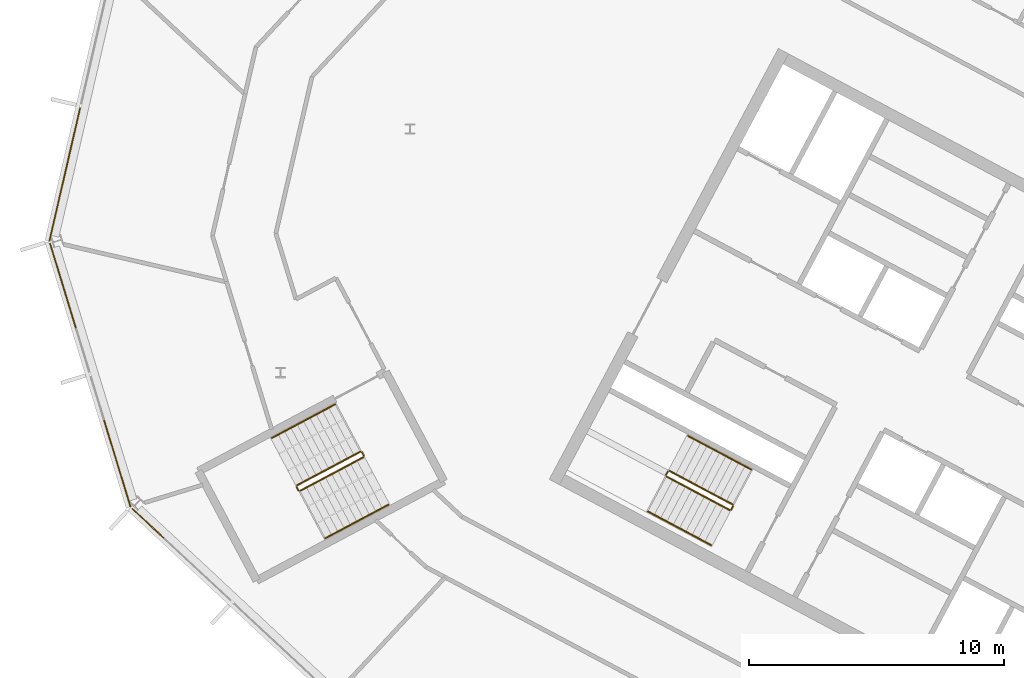
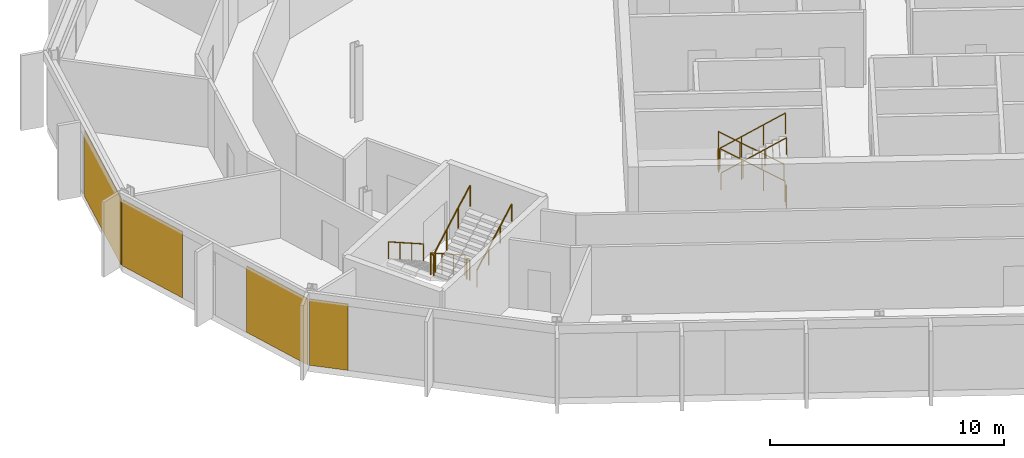
# One storey, part 21 of 26: 12 railings, 4 coverings, 3 elements without a shape of their own.
"""IFC4 building model written with IfcOpenShell, lengths in metres."""

from ifc_helpers import new_model, si_unit, direction, frame, origin, origin_2d, place, context, subcontext, project, spatial, polyline, rectangle, outline, extrude, material, layer, layer_set, type_object, element, aggregate, save


model = new_model("IFC4")

# Units and contexts
model_context = context("Model", 3, precision=1e-05, world=origin(), true_north=direction((0.0, 1.0)))
body_context = subcontext(model_context, "Body", "Model", "MODEL_VIEW")
ifc_project = project(units=[si_unit("LENGTHUNIT", "METRE"), si_unit("AREAUNIT", "SQUARE_METRE"), si_unit("VOLUMEUNIT", "CUBIC_METRE"), si_unit("PLANEANGLEUNIT", "RADIAN"), si_unit("MASSUNIT", "GRAM", prefix="KILO")], contexts=[model_context])

# Site, building, storey
site_placement = place(None, origin())
site = spatial("IfcSite", under=ifc_project, at=site_placement, CompositionType="ELEMENT")
building_placement = place(site_placement, origin())
building = spatial("IfcBuilding", under=site, at=building_placement, Name="Cormorant Relay Tower", CompositionType="ELEMENT")
storey_placement = place(building_placement, frame((0.0, 0.0, 285.300048828125)))
storey = spatial("IfcBuildingStorey", under=building, at=storey_placement, Name="L64", CompositionType="ELEMENT", Elevation=285.300048828125)

# Curtain wall, covering
ifc_material_1 = material(Name="Aluminium 6063-T6 anodised bronze", Category="aluminium")
ifc_layer_1 = layer(ifc_material_1, 0.199951171875)
ifc_layer_set_1 = layer_set([ifc_layer_1], Name="CW1 unitised bronze curtain wall with vertical fins")
curtain_wall_type = type_object("IfcCurtainWallType", Name="CW1 unitised bronze curtain wall with vertical fins", PredefinedType="NOTDEFINED", material=ifc_layer_set_1)
curtain_wall_1_placement = place(storey_placement, origin())
curtain_wall_1 = element("IfcCurtainWall", 1, at=curtain_wall_1_placement, inside=storey, type_object=curtain_wall_type, Name="CW1 curtain wall 13", PredefinedType="NOTDEFINED")
ifc_material_2 = material(Name="Pale bronze anodised aluminium insulated panel", Category="aluminium")
ifc_layer_2 = layer(ifc_material_2, 0.0400390625)
ifc_layer_set_2 = layer_set([ifc_layer_2], Name="CW1 pale bronze insulated panel 40")
covering_type = type_object("IfcCoveringType", Name="CW1 pale bronze insulated panel 40", PredefinedType="CLADDING", material=ifc_layer_set_2)
covering_1_placement = place(storey_placement, frame((-60.136474609375, 23.00927734375, 0.0), z_axis=(0.0, 0.0, 1.0), x_axis=(-0.224951054344, -0.974370064785, 0.0)))
covering_1 = element("IfcCovering", 2, at=covering_1_placement, type_object=covering_type, Name="CW1 panel S01", PredefinedType="CLADDING", context=body_context, shape_type="SweptSolid", body=[
    extrude(rectangle(XDim=5.360107421875, YDim=0.0400390625, at=origin_2d()), origin(), (0.0, 0.0, 1.0), 3.449951171875),
])
aggregate(curtain_wall_1, [covering_1])

# Curtain wall, coverings
curtain_wall_2_placement = place(storey_placement, origin())
curtain_wall_2 = element("IfcCurtainWall", 3, at=curtain_wall_2_placement, inside=storey, type_object=curtain_wall_type, Name="CW1 curtain wall 14", PredefinedType="NOTDEFINED")
covering_2_placement = place(storey_placement, frame((-60.20751953125, 18.6494140625, 0.0), z_axis=(0.0, 0.0, 1.0), x_axis=(0.292371704723, -0.956304755963, 0.0)))
covering_2 = element("IfcCovering", 4, at=covering_2_placement, type_object=covering_type, Name="CW1 panel S00", PredefinedType="CLADDING", context=body_context, shape_type="SweptSolid", body=[
    extrude(rectangle(XDim=3.485107421875, YDim=0.0400390625, at=origin_2d()), origin(), (0.0, 0.0, 1.0), 3.449951171875),
])
covering_3_placement = place(storey_placement, frame((-58.081298828125, 11.6943359375, 0.0), z_axis=(0.0, 0.0, 1.0), x_axis=(0.292371704723, -0.956304755963, 0.0)))
covering_3 = element("IfcCovering", 5, at=covering_3_placement, type_object=covering_type, Name="CW1 panel S03", PredefinedType="CLADDING", context=body_context, shape_type="SweptSolid", body=[
    extrude(rectangle(XDim=3.560302734375, YDim=0.0400390625, at=origin_2d()), origin(), (0.0, 0.0, 1.0), 3.449951171875),
])
aggregate(curtain_wall_2, [covering_2, covering_3])

# Curtain wall, covering
curtain_wall_3_placement = place(storey_placement, origin())
curtain_wall_3 = element("IfcCurtainWall", 6, at=curtain_wall_3_placement, inside=storey, type_object=curtain_wall_type, Name="CW1 curtain wall 15", PredefinedType="NOTDEFINED")
covering_4_placement = place(storey_placement, frame((-56.88427734375, 9.357421875, 0.0), z_axis=(0.0, 0.0, 1.0), x_axis=(0.731353701619, -0.681998360062, 0.0)))
covering_4 = element("IfcCovering", 7, at=covering_4_placement, type_object=covering_type, Name="CW1 panel S00", PredefinedType="CLADDING", context=body_context, shape_type="SweptSolid", body=[
    extrude(rectangle(XDim=1.685302734375, YDim=0.0400390625, at=origin_2d()), origin(), (0.0, 0.0, 1.0), 3.449951171875),
])
aggregate(curtain_wall_3, [covering_4])

# Railings
ifc_material_3 = material(Name="Steel ASTM A572 Grade 50 (Fy 345 MPa)", Category="steel")
railing_type_1 = type_object("IfcRailingType", Name="Stair guard 1100", PredefinedType="GUARDRAIL", material=ifc_material_3)
railing_1_placement = place(storey_placement, frame((-33.9921875, 10.08935546875, 0.17724609375)))
element("IfcRailing", 8, at=railing_1_placement, inside=storey, type_object=railing_type_1, Name="L64 A2 stair guard 1", PredefinedType="GUARDRAIL", context=body_context, shape_type="SweptSolid", body=[
    extrude(outline(polyline([(0.022216796875, 0.00927734375), (0.00927734375, 0.022216796875), (-0.00927734375, 0.022216796875), (-0.022216796875, 0.00927734375), (-0.022216796875, -0.00927734375), (-0.00927734375, -0.022216796875), (0.00927734375, -0.022216796875), (0.022216796875, -0.00927734375), (0.022216796875, 0.00927734375)])), frame((0.0, 0.0, 1.076171875), z_axis=(-0.746001213114, 0.396649272309, 0.534931345884), x_axis=(-0.469465464807, -0.882950835185, 0.0)), (0.0, 0.0, 1.0), 3.31396484375),
    extrude(outline(polyline([(0.019287109375, 0.008056640625), (0.008056640625, 0.019287109375), (-0.008056640625, 0.019287109375), (-0.019287109375, 0.008056640625), (-0.019287109375, -0.008056640625), (-0.008056640625, -0.019287109375), (0.008056640625, -0.019287109375), (0.019287109375, -0.008056640625), (0.019287109375, 0.008056640625)])), origin(), (0.0, 0.0, 1.0), 1.052001953125),
    extrude(outline(polyline([(0.019287109375, 0.008056640625), (0.008056640625, 0.019287109375), (-0.008056640625, 0.019287109375), (-0.019287109375, 0.008056640625), (-0.019287109375, -0.008056640625), (-0.008056640625, -0.019287109375), (0.008056640625, -0.019287109375), (0.019287109375, -0.008056640625), (0.019287109375, 0.008056640625)])), frame((-0.823974609375, 0.438232421875, 0.5908203125)), (0.0, 0.0, 1.0), 1.052001953125),
    extrude(outline(polyline([(0.019287109375, 0.008056640625), (0.008056640625, 0.019287109375), (-0.008056640625, 0.019287109375), (-0.019287109375, 0.008056640625), (-0.019287109375, -0.008056640625), (-0.008056640625, -0.019287109375), (0.008056640625, -0.019287109375), (0.019287109375, -0.008056640625), (0.019287109375, 0.008056640625)])), frame((-1.648193359375, 0.876220703125, 1.181884765625)), (0.0, 0.0, 1.0), 1.052001953125),
    extrude(outline(polyline([(0.019287109375, 0.008056640625), (0.008056640625, 0.019287109375), (-0.008056640625, 0.019287109375), (-0.019287109375, 0.008056640625), (-0.019287109375, -0.008056640625), (-0.008056640625, -0.019287109375), (0.008056640625, -0.019287109375), (0.019287109375, -0.008056640625), (0.019287109375, 0.008056640625)])), frame((-2.47216796875, 1.314453125, 1.772705078125)), (0.0, 0.0, 1.0), 1.052001953125),
])
railing_2_placement = place(storey_placement, frame((-36.531982421875, 11.38330078125, 1.949951171875)))
element("IfcRailing", 9, at=railing_2_placement, inside=storey, type_object=railing_type_1, Name="L64 A2 stair guard 2", PredefinedType="GUARDRAIL", context=body_context, shape_type="SweptSolid", body=[
    extrude(outline(polyline([(0.022216796875, 0.00927734375), (0.00927734375, 0.022216796875), (-0.00927734375, 0.022216796875), (-0.022216796875, 0.00927734375), (-0.022216796875, -0.00927734375), (-0.00927734375, -0.022216796875), (0.00927734375, -0.022216796875), (0.022216796875, -0.00927734375), (0.022216796875, 0.00927734375)])), frame((0.0, 0.0, 1.076171875), z_axis=(-0.469828648786, -0.882757634224, 0.0), x_axis=(0.882757634224, -0.469828648786, 0.0)), (0.0, 0.0, 1.0), 0.150146484375),
    extrude(outline(polyline([(0.019287109375, 0.008056640625), (0.008056640625, 0.019287109375), (-0.008056640625, 0.019287109375), (-0.019287109375, 0.008056640625), (-0.019287109375, -0.008056640625), (-0.008056640625, -0.019287109375), (0.008056640625, -0.019287109375), (0.019287109375, -0.008056640625), (0.019287109375, 0.008056640625)])), origin(), (0.0, 0.0, 1.0), 1.052001953125),
    extrude(outline(polyline([(0.019287109375, 0.008056640625), (0.008056640625, 0.019287109375), (-0.008056640625, 0.019287109375), (-0.019287109375, 0.008056640625), (-0.019287109375, -0.008056640625), (-0.008056640625, -0.019287109375), (0.008056640625, -0.019287109375), (0.019287109375, -0.008056640625), (0.019287109375, 0.008056640625)])), frame((-0.070556640625, -0.132568359375, 0.0)), (0.0, 0.0, 1.0), 1.052001953125),
])
railing_3_placement = place(storey_placement, frame((-36.581787109375, 11.18310546875, 2.127197265625)))
element("IfcRailing", 10, at=railing_3_placement, inside=storey, type_object=railing_type_1, Name="L64 A2 stair guard 3", PredefinedType="GUARDRAIL", context=body_context, shape_type="SweptSolid", body=[
    extrude(outline(polyline([(0.022216796875, 0.00927734375), (0.00927734375, 0.022216796875), (-0.00927734375, 0.022216796875), (-0.022216796875, 0.00927734375), (-0.022216796875, -0.00927734375), (-0.00927734375, -0.022216796875), (0.00927734375, -0.022216796875), (0.022216796875, -0.00927734375), (0.022216796875, 0.00927734375)])), frame((0.0, 0.0, 1.076171875), z_axis=(0.746001213114, -0.396649272309, 0.534931345884), x_axis=(0.469465464807, 0.882950835185, 0.0)), (0.0, 0.0, 1.0), 3.31396484375),
    extrude(outline(polyline([(0.019287109375, 0.008056640625), (0.008056640625, 0.019287109375), (-0.008056640625, 0.019287109375), (-0.019287109375, 0.008056640625), (-0.019287109375, -0.008056640625), (-0.008056640625, -0.019287109375), (0.008056640625, -0.019287109375), (0.019287109375, -0.008056640625), (0.019287109375, 0.008056640625)])), origin(), (0.0, 0.0, 1.0), 1.052001953125),
    extrude(outline(polyline([(0.019287109375, 0.008056640625), (0.008056640625, 0.019287109375), (-0.008056640625, 0.019287109375), (-0.019287109375, 0.008056640625), (-0.019287109375, -0.008056640625), (-0.008056640625, -0.019287109375), (0.008056640625, -0.019287109375), (0.019287109375, -0.008056640625), (0.019287109375, 0.008056640625)])), frame((0.823974609375, -0.438232421875, 0.5908203125)), (0.0, 0.0, 1.0), 1.052001953125),
    extrude(outline(polyline([(0.019287109375, 0.008056640625), (0.008056640625, 0.019287109375), (-0.008056640625, 0.019287109375), (-0.019287109375, 0.008056640625), (-0.019287109375, -0.008056640625), (-0.008056640625, -0.019287109375), (0.008056640625, -0.019287109375), (0.019287109375, -0.008056640625), (0.019287109375, 0.008056640625)])), frame((1.648193359375, -0.876220703125, 1.181884765625)), (0.0, 0.0, 1.0), 1.052001953125),
    extrude(outline(polyline([(0.019287109375, 0.008056640625), (0.008056640625, 0.019287109375), (-0.008056640625, 0.019287109375), (-0.019287109375, 0.008056640625), (-0.019287109375, -0.008056640625), (-0.008056640625, -0.019287109375), (0.008056640625, -0.019287109375), (0.019287109375, -0.008056640625), (0.019287109375, 0.008056640625)])), frame((2.47216796875, -1.314453125, 1.772705078125)), (0.0, 0.0, 1.0), 1.052001953125),
])
railing_4_placement = place(storey_placement, frame((-33.971435546875, 10.021728515625, 0.0)))
element("IfcRailing", 11, at=railing_4_placement, inside=storey, type_object=railing_type_1, Name="L64 A2 stair guard 4", PredefinedType="GUARDRAIL", context=body_context, shape_type="SweptSolid", body=[
    extrude(outline(polyline([(0.022216796875, 0.00927734375), (0.00927734375, 0.022216796875), (-0.00927734375, 0.022216796875), (-0.022216796875, 0.00927734375), (-0.022216796875, -0.00927734375), (-0.00927734375, -0.022216796875), (0.00927734375, -0.022216796875), (0.022216796875, -0.00927734375), (0.022216796875, 0.00927734375)])), frame((0.0, 0.0, 1.076171875), z_axis=(-0.470503732759, -0.882398003998, 0.0), x_axis=(0.882398003998, -0.470503732759, 0.0)), (0.0, 0.0, 1.0), 0.14990234375),
    extrude(outline(polyline([(0.019287109375, 0.008056640625), (0.008056640625, 0.019287109375), (-0.008056640625, 0.019287109375), (-0.019287109375, 0.008056640625), (-0.019287109375, -0.008056640625), (-0.008056640625, -0.019287109375), (0.008056640625, -0.019287109375), (0.019287109375, -0.008056640625), (0.019287109375, 0.008056640625)])), origin(), (0.0, 0.0, 1.0), 1.052001953125),
    extrude(outline(polyline([(0.019287109375, 0.008056640625), (0.008056640625, 0.019287109375), (-0.008056640625, 0.019287109375), (-0.019287109375, 0.008056640625), (-0.019287109375, -0.008056640625), (-0.008056640625, -0.019287109375), (0.008056640625, -0.019287109375), (0.019287109375, -0.008056640625), (0.019287109375, 0.008056640625)])), frame((-0.070556640625, -0.13232421875, 0.0)), (0.0, 0.0, 1.0), 1.052001953125),
])
railing_5_placement = place(storey_placement, frame((-48.5693359375, 12.155517578125, 0.17724609375)))
element("IfcRailing", 12, at=railing_5_placement, inside=storey, type_object=railing_type_1, Name="L64 RP1 stair guard 1", PredefinedType="GUARDRAIL", context=body_context, shape_type="SweptSolid", body=[
    extrude(outline(polyline([(0.022216796875, 0.00927734375), (0.00927734375, 0.022216796875), (-0.00927734375, 0.022216796875), (-0.022216796875, 0.00927734375), (-0.022216796875, -0.00927734375), (-0.00927734375, -0.022216796875), (0.00927734375, -0.022216796875), (0.022216796875, -0.00927734375), (0.022216796875, 0.00927734375)])), frame((0.0, 0.0, 1.076171875), z_axis=(-0.746012083385, -0.396689549623, 0.534886317514), x_axis=(0.469497295046, -0.882933910293, 0.0)), (0.0, 0.0, 1.0), 3.314208984375),
    extrude(outline(polyline([(0.019287109375, 0.008056640625), (0.008056640625, 0.019287109375), (-0.008056640625, 0.019287109375), (-0.019287109375, 0.008056640625), (-0.019287109375, -0.008056640625), (-0.008056640625, -0.019287109375), (0.008056640625, -0.019287109375), (0.019287109375, -0.008056640625), (0.019287109375, 0.008056640625)])), origin(), (0.0, 0.0, 1.0), 1.052001953125),
    extrude(outline(polyline([(0.019287109375, 0.008056640625), (0.008056640625, 0.019287109375), (-0.008056640625, 0.019287109375), (-0.019287109375, 0.008056640625), (-0.019287109375, -0.008056640625), (-0.008056640625, -0.019287109375), (0.008056640625, -0.019287109375), (0.019287109375, -0.008056640625), (0.019287109375, 0.008056640625)])), frame((-0.82421875, -0.438232421875, 0.5908203125)), (0.0, 0.0, 1.0), 1.052001953125),
    extrude(outline(polyline([(0.019287109375, 0.008056640625), (0.008056640625, 0.019287109375), (-0.008056640625, 0.019287109375), (-0.019287109375, 0.008056640625), (-0.019287109375, -0.008056640625), (-0.008056640625, -0.019287109375), (0.008056640625, -0.019287109375), (0.019287109375, -0.008056640625), (0.019287109375, 0.008056640625)])), frame((-1.648193359375, -0.87646484375, 1.181884765625)), (0.0, 0.0, 1.0), 1.052001953125),
    extrude(outline(polyline([(0.019287109375, 0.008056640625), (0.008056640625, 0.019287109375), (-0.008056640625, 0.019287109375), (-0.019287109375, 0.008056640625), (-0.019287109375, -0.008056640625), (-0.008056640625, -0.019287109375), (0.008056640625, -0.019287109375), (0.019287109375, -0.008056640625), (0.019287109375, 0.008056640625)])), frame((-2.472412109375, -1.314697265625, 1.772705078125)), (0.0, 0.0, 1.0), 1.052001953125),
])
railing_6_placement = place(storey_placement, frame((-51.062255859375, 10.773193359375, 1.949951171875)))
element("IfcRailing", 13, at=railing_6_placement, inside=storey, type_object=railing_type_1, Name="L64 RP1 stair guard 2", PredefinedType="GUARDRAIL", context=body_context, shape_type="SweptSolid", body=[
    extrude(outline(polyline([(0.022216796875, 0.00927734375), (0.00927734375, 0.022216796875), (-0.00927734375, 0.022216796875), (-0.022216796875, 0.00927734375), (-0.022216796875, -0.00927734375), (-0.00927734375, -0.022216796875), (0.00927734375, -0.022216796875), (0.022216796875, -0.00927734375), (0.022216796875, 0.00927734375)])), frame((0.0, 0.0, 1.076171875), z_axis=(0.469234640946, -0.883073525669, 0.0), x_axis=(0.883073525669, 0.469234640946, 0.0)), (0.0, 0.0, 1.0), 0.14990234375),
    extrude(outline(polyline([(0.019287109375, 0.008056640625), (0.008056640625, 0.019287109375), (-0.008056640625, 0.019287109375), (-0.019287109375, 0.008056640625), (-0.019287109375, -0.008056640625), (-0.008056640625, -0.019287109375), (0.008056640625, -0.019287109375), (0.019287109375, -0.008056640625), (0.019287109375, 0.008056640625)])), origin(), (0.0, 0.0, 1.0), 1.052001953125),
    extrude(outline(polyline([(0.019287109375, 0.008056640625), (0.008056640625, 0.019287109375), (-0.008056640625, 0.019287109375), (-0.019287109375, 0.008056640625), (-0.019287109375, -0.008056640625), (-0.008056640625, -0.019287109375), (0.008056640625, -0.019287109375), (0.019287109375, -0.008056640625), (0.019287109375, 0.008056640625)])), frame((0.0703125, -0.13232421875, 0.0)), (0.0, 0.0, 1.0), 1.052001953125),
])
railing_7_placement = place(storey_placement, frame((-50.92431640625, 10.6201171875, 2.127197265625)))
element("IfcRailing", 14, at=railing_7_placement, inside=storey, type_object=railing_type_1, Name="L64 RP1 stair guard 3", PredefinedType="GUARDRAIL", context=body_context, shape_type="SweptSolid", body=[
    extrude(outline(polyline([(0.022216796875, 0.00927734375), (0.00927734375, 0.022216796875), (-0.00927734375, 0.022216796875), (-0.022216796875, 0.00927734375), (-0.022216796875, -0.00927734375), (-0.00927734375, -0.022216796875), (0.00927734375, -0.022216796875), (0.022216796875, -0.00927734375), (0.022216796875, 0.00927734375)])), frame((0.0, 0.0, 1.076171875), z_axis=(0.746033882577, 0.396627473466, 0.534901947407), x_axis=(-0.469429322983, 0.882970050864, 0.0)), (0.0, 0.0, 1.0), 3.31396484375),
    extrude(outline(polyline([(0.019287109375, 0.008056640625), (0.008056640625, 0.019287109375), (-0.008056640625, 0.019287109375), (-0.019287109375, 0.008056640625), (-0.019287109375, -0.008056640625), (-0.008056640625, -0.019287109375), (0.008056640625, -0.019287109375), (0.019287109375, -0.008056640625), (0.019287109375, 0.008056640625)])), origin(), (0.0, 0.0, 1.0), 1.052001953125),
    extrude(outline(polyline([(0.019287109375, 0.008056640625), (0.008056640625, 0.019287109375), (-0.008056640625, 0.019287109375), (-0.019287109375, 0.008056640625), (-0.019287109375, -0.008056640625), (-0.008056640625, -0.019287109375), (0.008056640625, -0.019287109375), (0.019287109375, -0.008056640625), (0.019287109375, 0.008056640625)])), frame((0.82421875, 0.438232421875, 0.5908203125)), (0.0, 0.0, 1.0), 1.052001953125),
    extrude(outline(polyline([(0.019287109375, 0.008056640625), (0.008056640625, 0.019287109375), (-0.008056640625, 0.019287109375), (-0.019287109375, 0.008056640625), (-0.019287109375, -0.008056640625), (-0.008056640625, -0.019287109375), (0.008056640625, -0.019287109375), (0.019287109375, -0.008056640625), (0.019287109375, 0.008056640625)])), frame((1.648193359375, 0.876220703125, 1.181884765625)), (0.0, 0.0, 1.0), 1.052001953125),
    extrude(outline(polyline([(0.019287109375, 0.008056640625), (0.008056640625, 0.019287109375), (-0.008056640625, 0.019287109375), (-0.019287109375, 0.008056640625), (-0.019287109375, -0.008056640625), (-0.008056640625, -0.019287109375), (0.008056640625, -0.019287109375), (0.019287109375, -0.008056640625), (0.019287109375, 0.008056640625)])), frame((2.472412109375, 1.314453125, 1.772705078125)), (0.0, 0.0, 1.0), 1.052001953125),
])
railing_8_placement = place(storey_placement, frame((-48.501708984375, 12.134765625, 0.0)))
element("IfcRailing", 15, at=railing_8_placement, inside=storey, type_object=railing_type_1, Name="L64 RP1 stair guard 4", PredefinedType="GUARDRAIL", context=body_context, shape_type="SweptSolid", body=[
    extrude(outline(polyline([(0.022216796875, 0.00927734375), (0.00927734375, 0.022216796875), (-0.00927734375, 0.022216796875), (-0.022216796875, 0.00927734375), (-0.022216796875, -0.00927734375), (-0.00927734375, -0.022216796875), (0.00927734375, -0.022216796875), (0.022216796875, -0.00927734375), (0.022216796875, 0.00927734375)])), frame((0.0, 0.0, 1.076171875), z_axis=(0.46856034887, -0.8834314911, 0.0), x_axis=(0.8834314911, 0.46856034887, 0.0)), (0.0, 0.0, 1.0), 0.150146484375),
    extrude(outline(polyline([(0.019287109375, 0.008056640625), (0.008056640625, 0.019287109375), (-0.008056640625, 0.019287109375), (-0.019287109375, 0.008056640625), (-0.019287109375, -0.008056640625), (-0.008056640625, -0.019287109375), (0.008056640625, -0.019287109375), (0.019287109375, -0.008056640625), (0.019287109375, 0.008056640625)])), origin(), (0.0, 0.0, 1.0), 1.052001953125),
    extrude(outline(polyline([(0.019287109375, 0.008056640625), (0.008056640625, 0.019287109375), (-0.008056640625, 0.019287109375), (-0.019287109375, 0.008056640625), (-0.019287109375, -0.008056640625), (-0.008056640625, -0.019287109375), (0.008056640625, -0.019287109375), (0.019287109375, -0.008056640625), (0.019287109375, 0.008056640625)])), frame((0.0703125, -0.132568359375, 0.0)), (0.0, 0.0, 1.0), 1.052001953125),
])
ifc_material_4 = material(Name="Steel ASTM A572 Grade 50 (Fy 345 MPa)", Category="steel")
railing_type_2 = type_object("IfcRailingType", Name="Stair handrail 900", PredefinedType="HANDRAIL", material=ifc_material_4)
railing_9_placement = place(storey_placement, frame((-33.264404296875, 11.4580078125, 0.17724609375)))
element("IfcRailing", 16, at=railing_9_placement, inside=storey, type_object=railing_type_2, Name="L64 A2 stair handrail 1", PredefinedType="HANDRAIL", context=body_context, shape_type="SweptSolid", body=[
    extrude(outline(polyline([(0.022216796875, 0.00927734375), (0.00927734375, 0.022216796875), (-0.00927734375, 0.022216796875), (-0.022216796875, 0.00927734375), (-0.022216796875, -0.00927734375), (-0.00927734375, -0.022216796875), (0.00927734375, -0.022216796875), (0.022216796875, -0.00927734375), (0.022216796875, 0.00927734375)])), frame((0.0, 0.0, 0.8759765625), z_axis=(-0.746033882577, 0.396627473466, 0.534901947407), x_axis=(-0.469429322983, -0.882970050864, 0.0)), (0.0, 0.0, 1.0), 3.31396484375),
    extrude(outline(polyline([(0.019287109375, 0.008056640625), (0.008056640625, 0.019287109375), (-0.008056640625, 0.019287109375), (-0.019287109375, 0.008056640625), (-0.019287109375, -0.008056640625), (-0.008056640625, -0.019287109375), (0.008056640625, -0.019287109375), (0.019287109375, -0.008056640625), (0.019287109375, 0.008056640625)])), origin(), (0.0, 0.0, 1.0), 0.851806640625),
    extrude(outline(polyline([(0.019287109375, 0.008056640625), (0.008056640625, 0.019287109375), (-0.008056640625, 0.019287109375), (-0.019287109375, 0.008056640625), (-0.019287109375, -0.008056640625), (-0.008056640625, -0.019287109375), (0.008056640625, -0.019287109375), (0.019287109375, -0.008056640625), (0.019287109375, 0.008056640625)])), frame((-0.82421875, 0.438232421875, 0.5908203125)), (0.0, 0.0, 1.0), 0.851806640625),
    extrude(outline(polyline([(0.019287109375, 0.008056640625), (0.008056640625, 0.019287109375), (-0.008056640625, 0.019287109375), (-0.019287109375, 0.008056640625), (-0.019287109375, -0.008056640625), (-0.008056640625, -0.019287109375), (0.008056640625, -0.019287109375), (0.019287109375, -0.008056640625), (0.019287109375, 0.008056640625)])), frame((-1.648193359375, 0.876220703125, 1.181884765625)), (0.0, 0.0, 1.0), 0.851806640625),
    extrude(outline(polyline([(0.019287109375, 0.008056640625), (0.008056640625, 0.019287109375), (-0.008056640625, 0.019287109375), (-0.019287109375, 0.008056640625), (-0.019287109375, -0.008056640625), (-0.008056640625, -0.019287109375), (0.008056640625, -0.019287109375), (0.019287109375, -0.008056640625), (0.019287109375, 0.008056640625)])), frame((-2.472412109375, 1.314453125, 1.772705078125)), (0.0, 0.0, 1.0), 0.851806640625),
])
railing_10_placement = place(storey_placement, frame((-37.3095703125, 9.814453125, 2.127197265625)))
element("IfcRailing", 17, at=railing_10_placement, inside=storey, type_object=railing_type_2, Name="L64 A2 stair handrail 2", PredefinedType="HANDRAIL", context=body_context, shape_type="SweptSolid", body=[
    extrude(outline(polyline([(0.022216796875, 0.00927734375), (0.00927734375, 0.022216796875), (-0.00927734375, 0.022216796875), (-0.022216796875, 0.00927734375), (-0.022216796875, -0.00927734375), (-0.00927734375, -0.022216796875), (0.00927734375, -0.022216796875), (0.022216796875, -0.00927734375), (0.022216796875, 0.00927734375)])), frame((0.0, 0.0, 0.8759765625), z_axis=(0.746033882577, -0.396627473466, 0.534901947407), x_axis=(0.469429322983, 0.882970050864, 0.0)), (0.0, 0.0, 1.0), 3.31396484375),
    extrude(outline(polyline([(0.019287109375, 0.008056640625), (0.008056640625, 0.019287109375), (-0.008056640625, 0.019287109375), (-0.019287109375, 0.008056640625), (-0.019287109375, -0.008056640625), (-0.008056640625, -0.019287109375), (0.008056640625, -0.019287109375), (0.019287109375, -0.008056640625), (0.019287109375, 0.008056640625)])), origin(), (0.0, 0.0, 1.0), 0.851806640625),
    extrude(outline(polyline([(0.019287109375, 0.008056640625), (0.008056640625, 0.019287109375), (-0.008056640625, 0.019287109375), (-0.019287109375, 0.008056640625), (-0.019287109375, -0.008056640625), (-0.008056640625, -0.019287109375), (0.008056640625, -0.019287109375), (0.019287109375, -0.008056640625), (0.019287109375, 0.008056640625)])), frame((0.82421875, -0.438232421875, 0.5908203125)), (0.0, 0.0, 1.0), 0.851806640625),
    extrude(outline(polyline([(0.019287109375, 0.008056640625), (0.008056640625, 0.019287109375), (-0.008056640625, 0.019287109375), (-0.019287109375, 0.008056640625), (-0.019287109375, -0.008056640625), (-0.008056640625, -0.019287109375), (0.008056640625, -0.019287109375), (0.019287109375, -0.008056640625), (0.019287109375, 0.008056640625)])), frame((1.648193359375, -0.876220703125, 1.181884765625)), (0.0, 0.0, 1.0), 0.851806640625),
    extrude(outline(polyline([(0.019287109375, 0.008056640625), (0.008056640625, 0.019287109375), (-0.008056640625, 0.019287109375), (-0.019287109375, 0.008056640625), (-0.019287109375, -0.008056640625), (-0.008056640625, -0.019287109375), (0.008056640625, -0.019287109375), (0.019287109375, -0.008056640625), (0.019287109375, 0.008056640625)])), frame((2.472412109375, -1.314453125, 1.772705078125)), (0.0, 0.0, 1.0), 0.851806640625),
])
railing_11_placement = place(storey_placement, frame((-49.55517578125, 14.009521484375, 0.17724609375)))
element("IfcRailing", 18, at=railing_11_placement, inside=storey, type_object=railing_type_2, Name="L64 RP1 stair handrail 1", PredefinedType="HANDRAIL", context=body_context, shape_type="SweptSolid", body=[
    extrude(outline(polyline([(0.022216796875, 0.00927734375), (0.00927734375, 0.022216796875), (-0.00927734375, 0.022216796875), (-0.022216796875, 0.00927734375), (-0.022216796875, -0.00927734375), (-0.00927734375, -0.022216796875), (0.00927734375, -0.022216796875), (0.022216796875, -0.00927734375), (0.022216796875, 0.00927734375)])), frame((0.0, 0.0, 0.8759765625), z_axis=(-0.746033882577, -0.396627473466, 0.534901947407), x_axis=(0.469429322983, -0.882970050864, 0.0)), (0.0, 0.0, 1.0), 3.31396484375),
    extrude(outline(polyline([(0.019287109375, 0.008056640625), (0.008056640625, 0.019287109375), (-0.008056640625, 0.019287109375), (-0.019287109375, 0.008056640625), (-0.019287109375, -0.008056640625), (-0.008056640625, -0.019287109375), (0.008056640625, -0.019287109375), (0.019287109375, -0.008056640625), (0.019287109375, 0.008056640625)])), origin(), (0.0, 0.0, 1.0), 0.851806640625),
    extrude(outline(polyline([(0.019287109375, 0.008056640625), (0.008056640625, 0.019287109375), (-0.008056640625, 0.019287109375), (-0.019287109375, 0.008056640625), (-0.019287109375, -0.008056640625), (-0.008056640625, -0.019287109375), (0.008056640625, -0.019287109375), (0.019287109375, -0.008056640625), (0.019287109375, 0.008056640625)])), frame((-0.82421875, -0.438232421875, 0.5908203125)), (0.0, 0.0, 1.0), 0.851806640625),
    extrude(outline(polyline([(0.019287109375, 0.008056640625), (0.008056640625, 0.019287109375), (-0.008056640625, 0.019287109375), (-0.019287109375, 0.008056640625), (-0.019287109375, -0.008056640625), (-0.008056640625, -0.019287109375), (0.008056640625, -0.019287109375), (0.019287109375, -0.008056640625), (0.019287109375, 0.008056640625)])), frame((-1.648193359375, -0.876220703125, 1.181884765625)), (0.0, 0.0, 1.0), 0.851806640625),
    extrude(outline(polyline([(0.019287109375, 0.008056640625), (0.008056640625, 0.019287109375), (-0.008056640625, 0.019287109375), (-0.019287109375, 0.008056640625), (-0.019287109375, -0.008056640625), (-0.008056640625, -0.019287109375), (0.008056640625, -0.019287109375), (0.019287109375, -0.008056640625), (0.019287109375, 0.008056640625)])), frame((-2.472412109375, -1.314453125, 1.772705078125)), (0.0, 0.0, 1.0), 0.851806640625),
])
railing_12_placement = place(storey_placement, frame((-49.9384765625, 8.765869140625, 2.127197265625)))
element("IfcRailing", 19, at=railing_12_placement, inside=storey, type_object=railing_type_2, Name="L64 RP1 stair handrail 2", PredefinedType="HANDRAIL", context=body_context, shape_type="SweptSolid", body=[
    extrude(outline(polyline([(0.022216796875, 0.00927734375), (0.00927734375, 0.022216796875), (-0.00927734375, 0.022216796875), (-0.022216796875, 0.00927734375), (-0.022216796875, -0.00927734375), (-0.00927734375, -0.022216796875), (0.00927734375, -0.022216796875), (0.022216796875, -0.00927734375), (0.022216796875, 0.00927734375)])), frame((0.0, 0.0, 0.8759765625), z_axis=(0.746012083385, 0.396689549623, 0.534886317514), x_axis=(-0.469497295046, 0.882933910293, 0.0)), (0.0, 0.0, 1.0), 3.314208984375),
    extrude(outline(polyline([(0.019287109375, 0.008056640625), (0.008056640625, 0.019287109375), (-0.008056640625, 0.019287109375), (-0.019287109375, 0.008056640625), (-0.019287109375, -0.008056640625), (-0.008056640625, -0.019287109375), (0.008056640625, -0.019287109375), (0.019287109375, -0.008056640625), (0.019287109375, 0.008056640625)])), origin(), (0.0, 0.0, 1.0), 0.851806640625),
    extrude(outline(polyline([(0.019287109375, 0.008056640625), (0.008056640625, 0.019287109375), (-0.008056640625, 0.019287109375), (-0.019287109375, 0.008056640625), (-0.019287109375, -0.008056640625), (-0.008056640625, -0.019287109375), (0.008056640625, -0.019287109375), (0.019287109375, -0.008056640625), (0.019287109375, 0.008056640625)])), frame((0.82421875, 0.438232421875, 0.5908203125)), (0.0, 0.0, 1.0), 0.851806640625),
    extrude(outline(polyline([(0.019287109375, 0.008056640625), (0.008056640625, 0.019287109375), (-0.008056640625, 0.019287109375), (-0.019287109375, 0.008056640625), (-0.019287109375, -0.008056640625), (-0.008056640625, -0.019287109375), (0.008056640625, -0.019287109375), (0.019287109375, -0.008056640625), (0.019287109375, 0.008056640625)])), frame((1.648193359375, 0.87646484375, 1.181884765625)), (0.0, 0.0, 1.0), 0.851806640625),
    extrude(outline(polyline([(0.019287109375, 0.008056640625), (0.008056640625, 0.019287109375), (-0.008056640625, 0.019287109375), (-0.019287109375, 0.008056640625), (-0.019287109375, -0.008056640625), (-0.008056640625, -0.019287109375), (0.008056640625, -0.019287109375), (0.019287109375, -0.008056640625), (0.019287109375, 0.008056640625)])), frame((2.472412109375, 1.314697265625, 1.772705078125)), (0.0, 0.0, 1.0), 0.851806640625),
])

save(model, "model.ifc")
